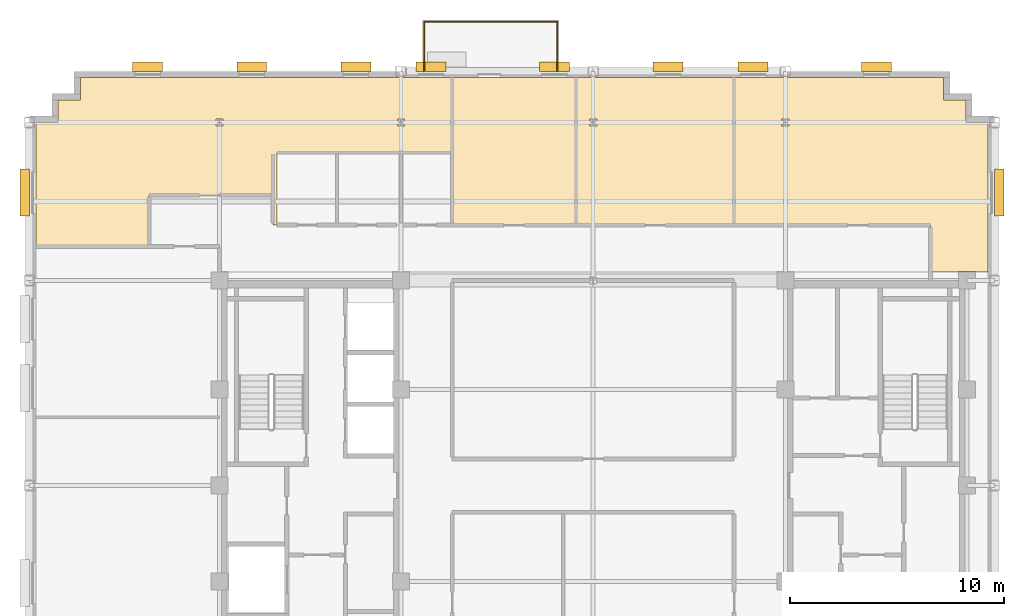
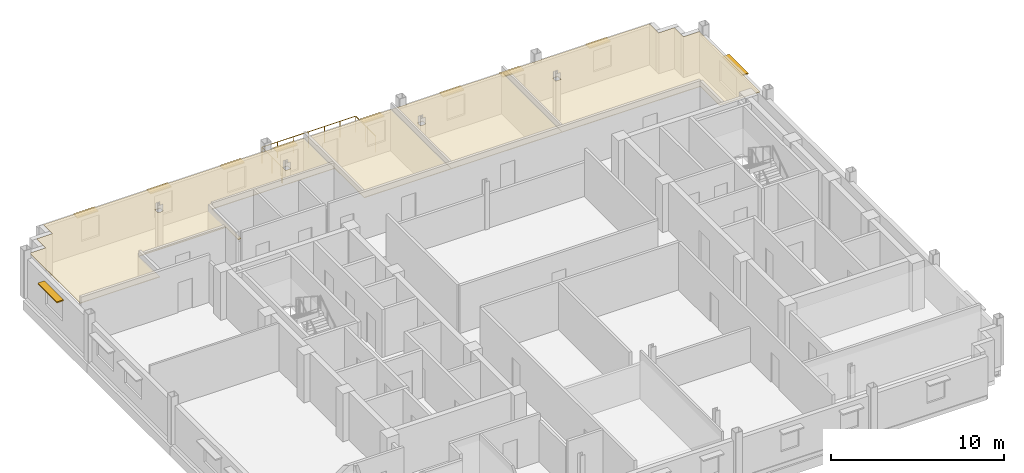
# One storey, part 14 of 14: 10 shading devices, 4 coverings, 1 railing.
"""IFC4 building model written with IfcOpenShell, lengths in metres."""

from ifc_helpers import new_model, si_unit, direction, frame, origin, origin_2d, place, context, subcontext, project, spatial, polyline, rectangle, circle, outline, extrude, source, transform, mapped, material, layer, layer_set, type_object, type_shapes, element, save


model = new_model("IFC4")

# Units and contexts
model_context = context("Model", 3, precision=1e-05, world=origin(), true_north=direction((0.0, 1.0)))
body_context = subcontext(model_context, "Body", "Model", "MODEL_VIEW")
ifc_project = project(units=[si_unit("LENGTHUNIT", "METRE"), si_unit("AREAUNIT", "SQUARE_METRE"), si_unit("VOLUMEUNIT", "CUBIC_METRE"), si_unit("PLANEANGLEUNIT", "RADIAN"), si_unit("MASSUNIT", "GRAM", prefix="KILO")], contexts=[model_context])

# Site, building, storey
site_placement = place(None, origin())
site = spatial("IfcSite", under=ifc_project, at=site_placement, CompositionType="ELEMENT")
building_placement = place(site_placement, origin())
building = spatial("IfcBuilding", under=site, at=building_placement, Name="Nuvemarco Arch Tower", CompositionType="ELEMENT")
storey_placement = place(building_placement, frame((0.0, 0.0, 238.35009765625)))
storey = spatial("IfcBuildingStorey", under=building, at=storey_placement, Name="L63", CompositionType="ELEMENT", Elevation=238.35009765625)

# Coverings
ifc_material_1 = material(Name="Mineral acoustic ceiling tile")
ifc_layer = layer(ifc_material_1, 0.0400390625, Name="COV-ACOUSTIC-CLG")
ifc_layer_set = layer_set([ifc_layer], Name="Mineral acoustic ceiling tile")
covering_type = type_object("IfcCoveringType", Name="COV-ACOUSTIC-CLG", PredefinedType="CEILING", material=ifc_layer_set)
covering_1_placement = place(storey_placement, frame((0.0, 0.0, 2.849853515625)))
element("IfcCovering", 1, at=covering_1_placement, inside=storey, type_object=covering_type, Name="L63 suspended acoustic ceiling 1", PredefinedType="CEILING", context=body_context, shape_type="SweptSolid", body=[
    extrude(outline(polyline([(-15.0, 12.199951171875), (-15.0, 13.60009765625), (-20.800048828125, 13.60009765625), (-20.800048828125, 11.199951171875), (-26.10009765625, 11.199951171875), (-26.10009765625, 17.0), (-25.050048828125, 17.0), (-25.050048828125, 18.050048828125), (-24.0, 18.050048828125), (-24.0, 19.10009765625), (-6.60009765625, 19.10009765625), (-6.60009765625, 15.60009765625), (-9.199951171875, 15.60009765625), (-12.0, 15.60009765625), (-14.800048828125, 15.60009765625), (-14.800048828125, 12.199951171875), (-15.0, 12.199951171875)]), holes=[polyline([(-17.330078125, 17.169921875), (-17.669921875, 17.169921875), (-17.669921875, 16.830078125), (-17.330078125, 16.830078125), (-17.330078125, 17.169921875)]), polyline([(-8.830078125, 17.169921875), (-9.169921875, 17.169921875), (-9.169921875, 16.830078125), (-8.830078125, 16.830078125), (-8.830078125, 17.169921875)])]), origin(), (0.0, 0.0, 1.0), 0.0400390625),
])
covering_2_placement = place(storey_placement, frame((0.0, 0.0, 2.849853515625)))
element("IfcCovering", 2, at=covering_2_placement, inside=storey, type_object=covering_type, Name="L63 suspended acoustic ceiling 2", PredefinedType="CEILING", context=body_context, shape_type="SweptSolid", body=[
    extrude(outline(polyline([(18.5, 17.0), (18.5, 10.0), (17.9150390625, 10.0), (17.9150390625, 10.014892578125), (17.0849609375, 10.014892578125), (17.0849609375, 10.0), (15.800048828125, 10.0), (15.800048828125, 12.199951171875), (9.0, 12.199951171875), (6.60009765625, 12.199951171875), (6.60009765625, 19.10009765625), (16.39990234375, 19.10009765625), (16.39990234375, 18.050048828125), (17.449951171875, 18.050048828125), (17.449951171875, 17.0), (18.5, 17.0)]), holes=[polyline([(9.169921875, 17.169921875), (8.830078125, 17.169921875), (8.830078125, 16.830078125), (9.169921875, 16.830078125), (9.169921875, 17.169921875)])]), origin(), (0.0, 0.0, 1.0), 0.0400390625),
])
covering_3_placement = place(storey_placement, frame((0.0, 0.0, 2.849853515625)))
element("IfcCovering", 3, at=covering_3_placement, inside=storey, type_object=covering_type, Name="L63 suspended acoustic ceiling 5", PredefinedType="CEILING", context=body_context, shape_type="SweptSolid", body=[
    extrude(outline(polyline([(-0.800048828125, 12.199951171875), (-0.800048828125, 19.10009765625), (6.60009765625, 19.10009765625), (6.60009765625, 12.199951171875), (-0.800048828125, 12.199951171875)]), holes=[polyline([(0.169921875, 16.830078125), (0.169921875, 17.169921875), (-0.169921875, 17.169921875), (-0.169921875, 16.830078125), (0.169921875, 16.830078125)])]), origin(), (0.0, 0.0, 1.0), 0.0400390625),
])
covering_4_placement = place(storey_placement, frame((0.0, 0.0, 2.849853515625)))
element("IfcCovering", 4, at=covering_4_placement, inside=storey, type_object=covering_type, Name="L63 suspended acoustic ceiling 8", PredefinedType="CEILING", context=body_context, shape_type="SweptSolid", body=[
    extrude(outline(polyline([(-0.800048828125, 12.199951171875), (-6.60009765625, 12.199951171875), (-6.60009765625, 15.60009765625), (-6.60009765625, 19.10009765625), (-0.800048828125, 19.10009765625), (-0.800048828125, 12.199951171875)])), origin(), (0.0, 0.0, 1.0), 0.0400390625),
])

# Railing
ifc_material_2 = material(Name="Dark anodised balustrade steel S355", Category="steel")
railing_type = type_object("IfcRailingType", Name="RL-TERR-GUARD", PredefinedType="BALUSTRADE", material=ifc_material_2)
railing_placement = place(storey_placement, frame((-7.919921875, 19.39990234375, 0.0)))
element("IfcRailing", 5, at=railing_placement, inside=storey, type_object=railing_type, Name="L63 spiral terrace perimeter balustrade guard", PredefinedType="BALUSTRADE", context=body_context, shape_type="SweptSolid", body=[
    extrude(circle(Radius=0.02392578125, at=origin_2d()), frame((0.0, 0.0, 1.1259765625), z_axis=(0.0, 1.0, 0.0), x_axis=(-1.0, 0.0, 0.0)), (0.0, 0.0, 1.0), 2.320068359375),
    extrude(circle(Radius=0.02392578125, at=origin_2d()), frame((0.0, 2.320068359375, 1.1259765625), z_axis=(1.0, 0.0, 0.0), x_axis=(0.0, 1.0, 0.0)), (0.0, 0.0, 1.0), 6.239990234375),
    extrude(circle(Radius=0.02392578125, at=origin_2d()), frame((6.239990234375, 2.320068359375, 1.1259765625), z_axis=(0.0, -1.0, 0.0), x_axis=(1.0, 0.0, 0.0)), (0.0, 0.0, 1.0), 2.320068359375),
    extrude(circle(Radius=0.02099609375, at=origin_2d()), origin(), (0.0, 0.0, 1.0), 1.101806640625),
    extrude(circle(Radius=0.02099609375, at=origin_2d()), frame((0.0, 1.16015625, 0.0)), (0.0, 0.0, 1.0), 1.101806640625),
    extrude(circle(Radius=0.02099609375, at=origin_2d()), frame((0.0, 2.320068359375, 0.0)), (0.0, 0.0, 1.0), 1.101806640625),
    extrude(circle(Radius=0.02099609375, at=origin_2d()), frame((1.0400390625, 2.320068359375, 0.0)), (0.0, 0.0, 1.0), 1.101806640625),
    extrude(circle(Radius=0.02099609375, at=origin_2d()), frame((2.080078125, 2.320068359375, 0.0)), (0.0, 0.0, 1.0), 1.101806640625),
    extrude(circle(Radius=0.02099609375, at=origin_2d()), frame((3.1201171875, 2.320068359375, 0.0)), (0.0, 0.0, 1.0), 1.101806640625),
    extrude(circle(Radius=0.02099609375, at=origin_2d()), frame((4.159912109375, 2.320068359375, 0.0)), (0.0, 0.0, 1.0), 1.101806640625),
    extrude(circle(Radius=0.02099609375, at=origin_2d()), frame((5.199951171875, 2.320068359375, 0.0)), (0.0, 0.0, 1.0), 1.101806640625),
    extrude(circle(Radius=0.02099609375, at=origin_2d()), frame((6.239990234375, 2.320068359375, 0.0)), (0.0, 0.0, 1.0), 1.101806640625),
    extrude(circle(Radius=0.02099609375, at=origin_2d()), frame((6.239990234375, 1.16015625, 0.0)), (0.0, 0.0, 1.0), 1.101806640625),
    extrude(circle(Radius=0.02099609375, at=origin_2d()), frame((6.239990234375, 0.0, 0.0)), (0.0, 0.0, 1.0), 1.101806640625),
])

# Shading devices
ifc_material_3 = material(Name="Anodised aluminium 6063-T6", Category="aluminium")
shading_device_type_1 = type_object("IfcShadingDeviceType", Name="SHD-BRISE-SOLEIL", PredefinedType="USERDEFINED", material=ifc_material_3)
shared_shape_1 = source(origin(), body_context, "Body", "SweptSolid", [
    extrude(rectangle(XDim=2.199951171875, YDim=0.449951171875, at=origin_2d()), origin(), (0.0, 0.0, 1.0), 0.080078125),
])
type_shapes(shading_device_type_1, [shared_shape_1])
for number, where, z_axis, x_axis, name in (
    (6, (19.014892578125, 13.7177734375, 2.284912109375), (0.0, 0.0, 1.0), (0.0, 1.0, 0.0), "L63 horizontal brise-soleil sunshade"),
    (7, (-26.614990234375, 13.7177734375, 2.284912109375), (0.0, 0.0, 1.0), (0.0, 1.0, 0.0), "L63 horizontal brise-soleil sunshade"),
):
    element("IfcShadingDevice", number, at=place(storey_placement, frame(where, z_axis=z_axis, x_axis=x_axis)), inside=storey, type_object=shading_device_type_1, Name=name, ObjectType="SUNSHADE", PredefinedType="USERDEFINED", context=body_context, shape_type="MappedRepresentation", body=[
        mapped(shared_shape_1, transform((0.0, 0.0, 0.0), scale=1.0)),
    ])
shading_device_type_2 = type_object("IfcShadingDeviceType", Name="SHD-BRISE-NARROW", PredefinedType="USERDEFINED", material=ifc_material_3)
shared_shape_2 = source(origin(), body_context, "Body", "SweptSolid", [
    extrude(rectangle(XDim=1.39990234375, YDim=0.449951171875, at=origin_2d()), origin(), (0.0, 0.0, 1.0), 0.080078125),
])
type_shapes(shading_device_type_2, [shared_shape_2])
for number, where, z_axis, x_axis, name in (
    (8, (-20.862548828125, 19.614990234375, 2.284912109375), (0.0, 0.0, 1.0), (1.0, 0.0, 0.0), "L63 horizontal brise-soleil sunshade"),
    (9, (-15.987548828125, 19.614990234375, 2.284912109375), (0.0, 0.0, 1.0), (1.0, 0.0, 0.0), "L63 horizontal brise-soleil sunshade"),
    (10, (-11.112548828125, 19.614990234375, 2.284912109375), (0.0, 0.0, 1.0), (1.0, 0.0, 0.0), "L63 horizontal brise-soleil sunshade"),
    (11, (-7.58740234375, 19.614990234375, 2.284912109375), (0.0, 0.0, 1.0), (1.0, 0.0, 0.0), "L63 horizontal brise-soleil sunshade"),
    (12, (-1.8125, 19.614990234375, 2.284912109375), (0.0, 0.0, 1.0), (1.0, 0.0, 0.0), "L63 horizontal brise-soleil sunshade"),
    (13, (3.512451171875, 19.614990234375, 2.284912109375), (0.0, 0.0, 1.0), (1.0, 0.0, 0.0), "L63 horizontal brise-soleil sunshade"),
    (14, (7.487548828125, 19.614990234375, 2.284912109375), (0.0, 0.0, 1.0), (1.0, 0.0, 0.0), "L63 horizontal brise-soleil sunshade"),
    (15, (13.262451171875, 19.614990234375, 2.284912109375), (0.0, 0.0, 1.0), (1.0, 0.0, 0.0), "L63 horizontal brise-soleil sunshade"),
):
    element("IfcShadingDevice", number, at=place(storey_placement, frame(where, z_axis=z_axis, x_axis=x_axis)), inside=storey, type_object=shading_device_type_2, Name=name, ObjectType="SUNSHADE", PredefinedType="USERDEFINED", context=body_context, shape_type="MappedRepresentation", body=[
        mapped(shared_shape_2, transform((0.0, 0.0, 0.0), scale=1.0)),
    ])

save(model, "model.ifc")
